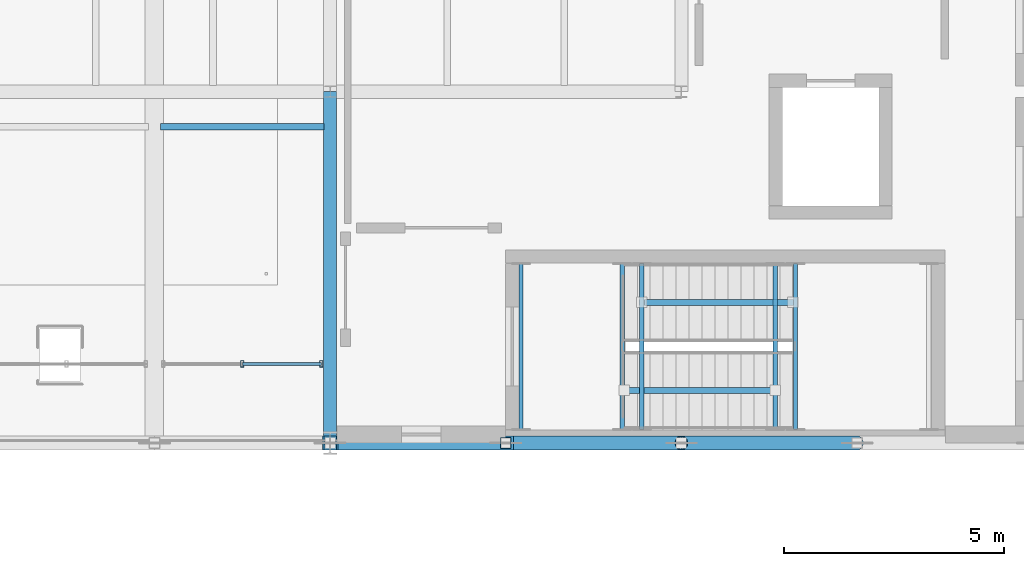
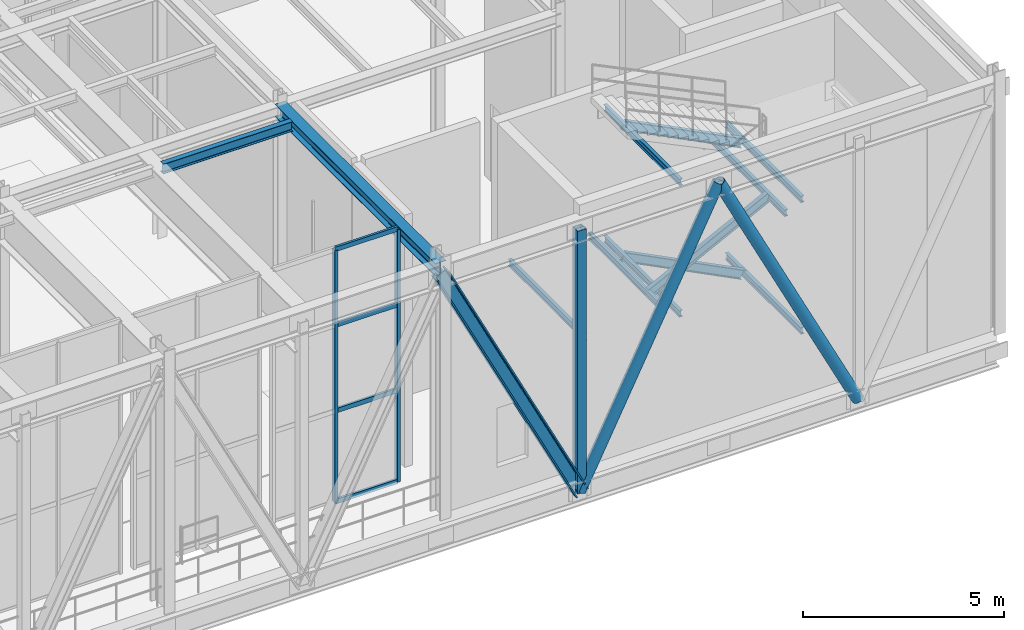
# One storey, part 30 of 138: 13 members, 9 beams, 1 element without a shape of its own.
"""IFC4 building model written with IfcOpenShell, lengths in metres."""

from ifc_helpers import new_model, si_unit, direction, frame, origin, origin_2d, place, context, subcontext, project, spatial, hollow_rectangle, hollow_circle, i_section, extrude, material, material_profile, profile_set, type_object, element, aggregate, save


model = new_model("IFC4")

# Units and contexts
model_context = context("Model", 3, precision=1e-05, world=origin(), true_north=direction((0.0, 1.0)))
body_context = subcontext(model_context, "Body", "Model", "MODEL_VIEW")
ifc_project = project(units=[si_unit("LENGTHUNIT", "METRE"), si_unit("AREAUNIT", "SQUARE_METRE"), si_unit("VOLUMEUNIT", "CUBIC_METRE"), si_unit("PLANEANGLEUNIT", "RADIAN"), si_unit("MASSUNIT", "GRAM", prefix="KILO")], contexts=[model_context])

# Site, building, storey
site_placement = place(None, origin())
site = spatial("IfcSite", under=ifc_project, at=site_placement, CompositionType="ELEMENT")
building_placement = place(site_placement, origin())
building = spatial("IfcBuilding", under=site, at=building_placement, Name="Sundkrona Museum", CompositionType="ELEMENT")
storey_placement = place(building_placement, frame((0.0, 0.0, 9.60009765625)))
storey = spatial("IfcBuildingStorey", under=building, at=storey_placement, Name="L02", CompositionType="ELEMENT", Elevation=9.60009765625)

# Beam
ifc_material_1 = material(Name="Steel S355J2", Category="steel")
ifc_material_profile_1 = material_profile(ifc_material_1, i_section(OverallWidth=0.300048828125, OverallDepth=0.389892578125, WebThickness=0.010986328125, FlangeThickness=0.01904296875, FilletRadius=0.027099609375, at=origin_2d()), Name="HEA 400")
ifc_profile_set_1 = profile_set([ifc_material_profile_1], Name="Steel S355J2")
beam_type_1 = type_object("IfcBeamType", Name="B-HEA400", PredefinedType="BEAM", material=ifc_profile_set_1)
beam_1_placement = place(storey_placement, frame((24.0, 32.0, 7.47998046875), z_axis=(0.0, 1.0, 0.0), x_axis=(-1.0, 0.0, 0.0)))
element("IfcBeam", 1, at=beam_1_placement, inside=storey, type_object=beam_type_1, Name="L02 Girder Y-1271", PredefinedType="BEAM", context=body_context, shape_type="SweptSolid", body=[
    extrude(i_section(OverallWidth=0.300048828125, OverallDepth=0.389892578125, WebThickness=0.010986328125, FlangeThickness=0.01904296875, FilletRadius=0.027099609375, at=origin_2d()), origin(), (0.0, 0.0, 1.0), 8.0),
])

# Members
ifc_material_profile_2 = material_profile(ifc_material_1, i_section(OverallWidth=0.135009765625, OverallDepth=0.27001953125, WebThickness=0.006591796875, FlangeThickness=0.01025390625, FilletRadius=0.014892578125, at=origin_2d()), Name="IPE 270")
ifc_profile_set_2 = profile_set([ifc_material_profile_2], Name="Steel S355J2")
member_type_1 = type_object("IfcMemberType", Name="BR-IPE270", PredefinedType="BRACE", material=ifc_profile_set_2)
member_1_placement = place(storey_placement, frame((34.534912109375, 35.199951171875, 1.679931640625), z_axis=(-0.891659684786, 0.0, 0.45270631377), x_axis=(0.0, -1.0, 0.0)))
element("IfcMember", 2, at=member_1_placement, inside=storey, type_object=member_type_1, Name="SRK-1 L02 ST-4 Flight 2 Inclined Carriage Raker", PredefinedType="BRACE", context=body_context, shape_type="SweptSolid", body=[
    extrude(i_section(OverallWidth=0.135009765625, OverallDepth=0.27001953125, WebThickness=0.006591796875, FlangeThickness=0.01025390625, FilletRadius=0.014892578125, at=origin_2d()), origin(), (0.0, 0.0, 1.0), 3.85205078125),
])
member_2_placement = place(storey_placement, frame((30.699951171875, 33.199951171875, 3.679931640625), z_axis=(0.891672672484, 0.0, 0.452680732022), x_axis=(0.0, 1.0, 0.0)))
element("IfcMember", 3, at=member_2_placement, inside=storey, type_object=member_type_1, Name="SRK-1 L02 ST-4 Flight 3 Inclined Carriage Raker", PredefinedType="BRACE", context=body_context, shape_type="SweptSolid", body=[
    extrude(i_section(OverallWidth=0.135009765625, OverallDepth=0.27001953125, WebThickness=0.006591796875, FlangeThickness=0.01025390625, FilletRadius=0.014892578125, at=origin_2d()), origin(), (0.0, 0.0, 1.0), 3.852294921875),
])
member_3_placement = place(storey_placement, frame((34.534912109375, 35.199951171875, 5.679931640625), z_axis=(-0.891659684786, 0.0, 0.45270631377), x_axis=(0.0, -1.0, 0.0)))
element("IfcMember", 4, at=member_3_placement, inside=storey, type_object=member_type_1, Name="SRK-1 L02 ST-4 Flight 4 Inclined Carriage Raker", PredefinedType="BRACE", context=body_context, shape_type="SweptSolid", body=[
    extrude(i_section(OverallWidth=0.135009765625, OverallDepth=0.27001953125, WebThickness=0.006591796875, FlangeThickness=0.01025390625, FilletRadius=0.014892578125, at=origin_2d()), origin(), (0.0, 0.0, 1.0), 3.85205078125),
])

# Beams
ifc_material_profile_3 = material_profile(ifc_material_1, i_section(OverallWidth=0.10009765625, OverallDepth=0.199951171875, WebThickness=0.005615234375, FlangeThickness=0.008544921875, FilletRadius=0.011962890625, at=origin_2d()), Name="IPE 200")
ifc_profile_set_3 = profile_set([ifc_material_profile_3], Name="Steel S355J2")
beam_type_2 = type_object("IfcBeamType", Name="J-IPE200", PredefinedType="JOIST", material=ifc_profile_set_3)
for number, where, z_axis, x_axis, name in (
    (5, (34.598388671875, 32.31005859375, 1.679931640625), (0.0, 1.0, 0.0), (-1.0, 0.0, 0.0), "L02 ST-4 Mid-Landing Trimmer Beam 1A"),
    (6, (28.347900390625, 32.31005859375, 3.679931640625), (0.0, 1.0, 0.0), (-1.0, 0.0, 0.0), "L02 ST-4 Mid-Landing Trimmer Beam 2A"),
    (7, (30.652099609375, 32.31005859375, 3.679931640625), (0.0, 1.0, 0.0), (-1.0, 0.0, 0.0), "L02 ST-4 Mid-Landing Trimmer Beam 2B"),
    (8, (34.598388671875, 32.31005859375, 5.679931640625), (0.0, 1.0, 0.0), (-1.0, 0.0, 0.0), "L02 ST-4 Mid-Landing Trimmer Beam 3A"),
    (9, (31.10009765625, 32.31005859375, 3.423828125), (0.0, 1.0, 0.0), (-1.0, 0.0, 0.0), "L02 ST-4 Flight 2 Arrival Header Beam"),
    (10, (34.135009765625, 32.31005859375, 5.423828125), (0.0, 1.0, 0.0), (-1.0, 0.0, 0.0), "L02 ST-4 Flight 3 Arrival Header Beam"),
    (11, (31.10009765625, 32.31005859375, 7.423828125), (0.0, 1.0, 0.0), (-1.0, 0.0, 0.0), "L02 ST-4 Flight 4 Arrival Header Beam"),
):
    element("IfcBeam", number, at=place(storey_placement, frame(where, z_axis=z_axis, x_axis=x_axis)), inside=storey, type_object=beam_type_2, Name=name, PredefinedType="JOIST", context=body_context, shape_type="SweptSolid", body=[
        extrude(i_section(OverallWidth=0.10009765625, OverallDepth=0.199951171875, WebThickness=0.005615234375, FlangeThickness=0.008544921875, FilletRadius=0.011962890625, at=origin_2d()), origin(), (0.0, 0.0, 1.0), 3.780029296875),
    ])
ifc_material_profile_4 = material_profile(ifc_material_1, i_section(OverallWidth=0.14990234375, OverallDepth=0.300048828125, WebThickness=0.007080078125, FlangeThickness=0.0107421875, FilletRadius=0.014892578125, at=origin_2d()), Name="IPE 300")
ifc_profile_set_4 = profile_set([ifc_material_profile_4], Name="Steel S355J2")
beam_type_3 = type_object("IfcBeamType", Name="J-IPE300", PredefinedType="JOIST", material=ifc_profile_set_4)
beam_2_placement = place(storey_placement, frame((20.139892578125, 39.199951171875, 7.52490234375), z_axis=(1.0, 0.0, 0.0), x_axis=(0.0, 1.0, 0.0)))
element("IfcBeam", 12, at=beam_2_placement, inside=storey, type_object=beam_type_3, Name="L02 Cantilever Floor Joist", PredefinedType="JOIST", context=body_context, shape_type="SweptSolid", body=[
    extrude(i_section(OverallWidth=0.14990234375, OverallDepth=0.300048828125, WebThickness=0.007080078125, FlangeThickness=0.0107421875, FilletRadius=0.014892578125, at=origin_2d()), origin(), (0.0, 0.0, 1.0), 3.72021484375),
])

# Curtain wall, members
ifc_material_2 = material(Name="Unitised Aluminium-Steel and Ceramic-Clad Curtain Walling", Category="steel")
curtain_wall_type = type_object("IfcCurtainWallType", Name="CW-CV-36x74", PredefinedType="NOTDEFINED", material=ifc_material_2)
curtain_wall_placement = place(storey_placement, origin())
curtain_wall = element("IfcCurtainWall", 13, at=curtain_wall_placement, inside=storey, type_object=curtain_wall_type, Name="L02 Curtain Wall CW-L02-150", PredefinedType="NOTDEFINED")
ifc_material_3 = material(Name="Aluminium EN AW-6060 T66", Category="aluminium")
ifc_material_profile_5 = material_profile(ifc_material_3, hollow_rectangle(XDim=0.074951171875, YDim=0.14990234375, WallThickness=0.00634765625, at=origin_2d()), Name="RHS 150x75x6.3")
ifc_profile_set_5 = profile_set([ifc_material_profile_5], Name="Aluminium EN AW-6060 T66")
member_type_2 = type_object("IfcMemberType", Name="ML-150", PredefinedType="MULLION", material=ifc_profile_set_5)
member_4_placement = place(storey_placement, frame((22.0, 33.800048828125, -0.004150390625), z_axis=(0.0, 0.0, 1.0), x_axis=(1.0, 0.0, 0.0)))
member_4 = element("IfcMember", 14, at=member_4_placement, type_object=member_type_2, Name="CW-L02-150 Mullion 02", PredefinedType="MULLION", context=body_context, shape_type="SweptSolid", body=[
    extrude(hollow_rectangle(XDim=0.074951171875, YDim=0.14990234375, WallThickness=0.00634765625, at=origin_2d()), origin(), (0.0, 0.0, 1.0), 7.68310546875),
])
member_5_placement = place(storey_placement, frame((23.800048828125, 33.800048828125, -0.004150390625), z_axis=(0.0, 0.0, 1.0), x_axis=(1.0, 0.0, 0.0)))
member_5 = element("IfcMember", 15, at=member_5_placement, type_object=member_type_2, Name="CW-L02-150 Mullion 03", PredefinedType="MULLION", context=body_context, shape_type="SweptSolid", body=[
    extrude(hollow_rectangle(XDim=0.074951171875, YDim=0.14990234375, WallThickness=0.00634765625, at=origin_2d()), origin(), (0.0, 0.0, 1.0), 7.68310546875),
])

# Members
ifc_material_4 = material(Name="Steel S460M", Category="steel")
ifc_material_profile_6 = material_profile(ifc_material_4, hollow_circle(Radius=0.161865234375, WallThickness=0.01611328125, at=origin_2d()), Name="CHS 323.9x16.0")
ifc_profile_set_6 = profile_set([ifc_material_profile_6], Name="Steel S460M")
member_type_3 = type_object("IfcMemberType", Name="ST-CHS324", PredefinedType="STRUT", material=ifc_profile_set_6)
for number, where, z_axis, x_axis, name in (
    (16, (28.0, 32.0, -0.68017578125), (0.4472135955, 0.0, 0.894427191), (0.0, 1.0, 0.0), "TRS-1 Cantilever Transfer Truss S Web Diagonal 7"),
    (17, (32.0, 32.0, 7.31982421875), (0.4472135955, 0.0, -0.894427191), (0.0, 1.0, 0.0), "TRS-1 Cantilever Transfer Truss S Web Diagonal 8"),
):
    element("IfcMember", number, at=place(storey_placement, frame(where, z_axis=z_axis, x_axis=x_axis)), inside=storey, type_object=member_type_3, Name=name, PredefinedType="STRUT", context=body_context, shape_type="SweptSolid", body=[
        extrude(hollow_circle(Radius=0.161865234375, WallThickness=0.01611328125, at=origin_2d()), origin(), (0.0, 0.0, 1.0), 8.9443359375),
    ])
ifc_material_profile_7 = material_profile(ifc_material_4, i_section(OverallWidth=0.30810546875, OverallDepth=0.39501953125, WebThickness=0.02099609375, FlangeThickness=0.0400390625, FilletRadius=0.027099609375, at=origin_2d()), Name="HEM 360")
ifc_profile_set_7 = profile_set([ifc_material_profile_7], Name="Steel S460M")
member_type_4 = type_object("IfcMemberType", Name="ST-HEM360", PredefinedType="STRUT", material=ifc_profile_set_7)
member_6_placement = place(storey_placement, frame((24.0, 32.0, 7.31982421875), z_axis=(0.4472135955, 0.0, -0.894427191), x_axis=(0.0, 1.0, 0.0)))
element("IfcMember", 18, at=member_6_placement, inside=storey, type_object=member_type_4, Name="TRS-1 Cantilever Transfer Truss S Web Diagonal 6", PredefinedType="STRUT", context=body_context, shape_type="SweptSolid", body=[
    extrude(i_section(OverallWidth=0.30810546875, OverallDepth=0.39501953125, WebThickness=0.02099609375, FlangeThickness=0.0400390625, FilletRadius=0.027099609375, at=origin_2d()), origin(), (0.0, 0.0, 1.0), 8.9443359375),
])
ifc_material_profile_8 = material_profile(ifc_material_4, hollow_rectangle(XDim=0.25, YDim=0.25, WallThickness=0.012451171875, at=origin_2d()), Name="SHS 250x250x12.5")
ifc_profile_set_8 = profile_set([ifc_material_profile_8], Name="Steel S460M")
member_type_5 = type_object("IfcMemberType", Name="ST-SHS250", PredefinedType="STRUT", material=ifc_profile_set_8)
member_7_placement = place(storey_placement, frame((28.0, 32.0, -0.68017578125), z_axis=(0.0, 0.0, 1.0), x_axis=(1.0, 0.0, 0.0)))
element("IfcMember", 19, at=member_7_placement, inside=storey, type_object=member_type_5, Name="TRS-1 Cantilever Transfer Truss S Vertical Post 7", PredefinedType="STRUT", context=body_context, shape_type="SweptSolid", body=[
    extrude(hollow_rectangle(XDim=0.25, YDim=0.25, WallThickness=0.012451171875, at=origin_2d()), origin(), (0.0, 0.0, 1.0), 8.0),
])

# Member
ifc_material_profile_9 = material_profile(ifc_material_3, hollow_rectangle(XDim=0.070068359375, YDim=0.139892578125, WallThickness=0.0048828125, at=origin_2d()), Name="RHS 140x70x5.0")
ifc_profile_set_9 = profile_set([ifc_material_profile_9], Name="Aluminium EN AW-6060 T66")
member_type_6 = type_object("IfcMemberType", Name="TR-140", PredefinedType="USERDEFINED", material=ifc_profile_set_9)
member_8_placement = place(storey_placement, frame((22.0, 33.800048828125, -0.004150390625), z_axis=(1.0, 0.0, 0.0), x_axis=(0.0, 1.0, 0.0)))
member_8 = element("IfcMember", 20, at=member_8_placement, type_object=member_type_6, Name="CW-L02-150 Transom 05", ObjectType="TRANSOM", PredefinedType="USERDEFINED", context=body_context, shape_type="SweptSolid", body=[
    extrude(hollow_rectangle(XDim=0.070068359375, YDim=0.139892578125, WallThickness=0.0048828125, at=origin_2d()), origin(), (0.0, 0.0, 1.0), 1.800048828125),
])

member_9_placement = place(storey_placement, frame((22.0, 33.800048828125, 2.762939453125), z_axis=(1.0, 0.0, 0.0), x_axis=(0.0, 1.0, 0.0)))
member_9 = element("IfcMember", 21, at=member_9_placement, type_object=member_type_6, Name="CW-L02-150 Transom 06", ObjectType="TRANSOM", PredefinedType="USERDEFINED", context=body_context, shape_type="SweptSolid", body=[
    extrude(hollow_rectangle(XDim=0.070068359375, YDim=0.139892578125, WallThickness=0.0048828125, at=origin_2d()), origin(), (0.0, 0.0, 1.0), 1.800048828125),
])

member_10_placement = place(storey_placement, frame((22.0, 33.800048828125, 5.371826171875), z_axis=(1.0, 0.0, 0.0), x_axis=(0.0, 1.0, 0.0)))
member_10 = element("IfcMember", 22, at=member_10_placement, type_object=member_type_6, Name="CW-L02-150 Transom 07", ObjectType="TRANSOM", PredefinedType="USERDEFINED", context=body_context, shape_type="SweptSolid", body=[
    extrude(hollow_rectangle(XDim=0.070068359375, YDim=0.139892578125, WallThickness=0.0048828125, at=origin_2d()), origin(), (0.0, 0.0, 1.0), 1.800048828125),
])

member_11_placement = place(storey_placement, frame((22.0, 33.800048828125, 7.678955078125), z_axis=(1.0, 0.0, 0.0), x_axis=(0.0, 1.0, 0.0)))
member_11 = element("IfcMember", 23, at=member_11_placement, type_object=member_type_6, Name="CW-L02-150 Transom 08", ObjectType="TRANSOM", PredefinedType="USERDEFINED", context=body_context, shape_type="SweptSolid", body=[
    extrude(hollow_rectangle(XDim=0.070068359375, YDim=0.139892578125, WallThickness=0.0048828125, at=origin_2d()), origin(), (0.0, 0.0, 1.0), 1.800048828125),
])

aggregate(curtain_wall, [member_4, member_5, member_8, member_9, member_10, member_11])

save(model, "model.ifc")
